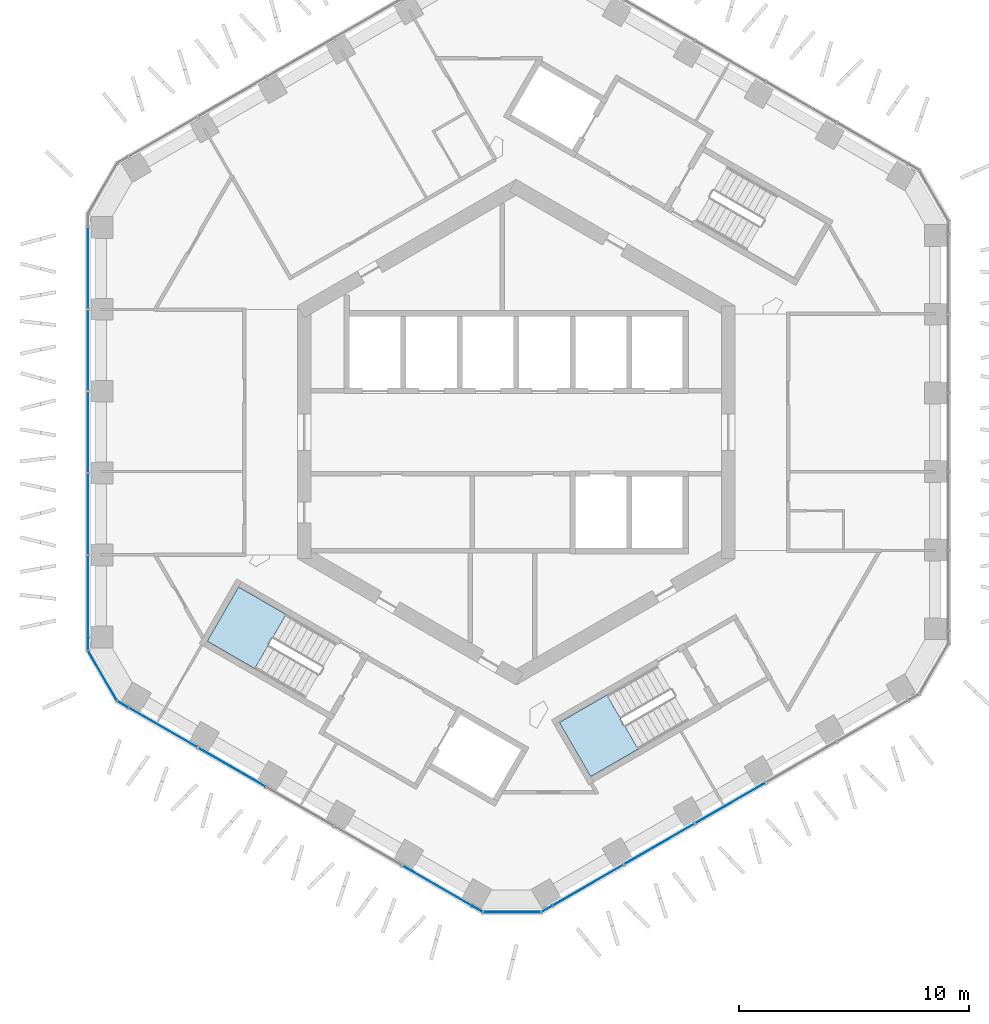
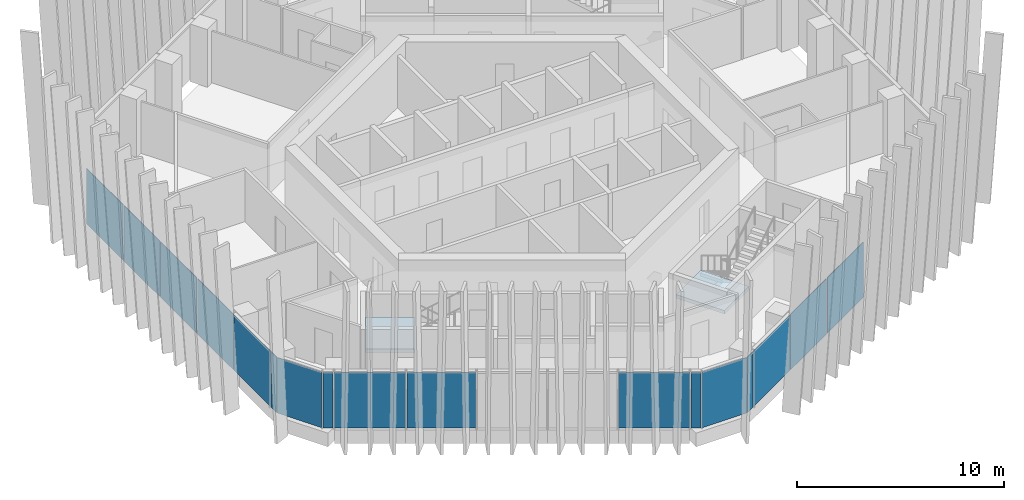
# One storey, part 9 of 20: 17 plates, 2 slabs, 7 elements without a shape of their own.
"""IFC4 building model written with IfcOpenShell, lengths in metres."""

import ifcopenshell
import ifcopenshell.guid

model = None  # the IFC model being written
_history = None  # IfcOwnerHistory: only IFC2X3 demands one
_inside = {}  # id of a spatial element -> (the spatial element, [elements in it])
_under = {}  # id of a project, library or spatial element -> (it, [spatial elements below it])
_declared = {}  # id of a project -> (the project, [libraries it declares])
_typed = {}  # id of a type object -> (the type object, [elements of that type])
_made_of = {}  # id of a material, layer set ... -> (it, [elements and type objects made of it])


def new_model(schema):
    """Start an empty IFC model of exactly this schema.

    Asked for "IFC4X3", IfcOpenShell would pick the latest addendum, in which some entities
    have other attributes; the version numbers below select the first issue.
    IFC2X3 requires an IfcOwnerHistory on every rooted entity: one is made here for all.
    """
    global model, _history
    if schema == "IFC4X3":
        model = ifcopenshell.file(schema_version=(4, 3, 0, 0))
    else:
        model = ifcopenshell.file(schema=schema)
    _inside.clear()
    _under.clear()
    _declared.clear()
    _typed.clear()
    _made_of.clear()
    _history = None
    if model.schema == "IFC2X3":
        org = make("IfcOrganization", Name="unknown")
        user = make(
            "IfcPersonAndOrganization",
            ThePerson=make("IfcPerson", FamilyName="unknown"),
            TheOrganization=org,
        )
        app = make(
            "IfcApplication",
            ApplicationDeveloper=org,
            Version="unknown",
            ApplicationFullName="unknown",
            ApplicationIdentifier="unknown",
        )
        _history = make(
            "IfcOwnerHistory",
            OwningUser=user,
            OwningApplication=app,
            ChangeAction="ADDED",
            CreationDate=0,
        )
    return model


def make(cls, **values):
    """One entity of the class cls with the attributes given. An attribute that is None is left unset."""
    return model.create_entity(
        cls, **{name: value for name, value in values.items() if value is not None}
    )


def rooted(cls, **values):
    """An entity with a GlobalId (a new one), such as an element, a storey or a relation."""
    return make(cls, GlobalId=ifcopenshell.guid.new(), OwnerHistory=_history, **values)


def si_unit(unit_type, name, prefix=None):
    """IfcSIUnit, for example si_unit("LENGTHUNIT", "METRE", prefix="MILLI")."""
    return make("IfcSIUnit", UnitType=unit_type, Prefix=prefix, Name=name)


def assignment(units):
    """IfcUnitAssignment: the units of a project."""
    return None if units is None else make("IfcUnitAssignment", Units=units)


def point(xyz):
    """IfcCartesianPoint."""
    return None if xyz is None else make("IfcCartesianPoint", Coordinates=xyz)


def direction(xyz):
    """IfcDirection."""
    return None if xyz is None else make("IfcDirection", DirectionRatios=xyz)


def frame(location, z_axis=None, x_axis=None):
    """IfcAxis2Placement3D, a coordinate frame: its origin and axes. An axis left out is left unset."""
    return make(
        "IfcAxis2Placement3D",
        Location=point(location),
        Axis=direction(z_axis),
        RefDirection=direction(x_axis),
    )


def frame_2d(location, x_axis=None):
    """IfcAxis2Placement2D, a coordinate frame in the plane: its origin and x axis."""
    return make(
        "IfcAxis2Placement2D", Location=point(location), RefDirection=direction(x_axis)
    )


def origin():
    """The frame at (0, 0, 0) with its axes left unset."""
    return frame((0.0, 0.0, 0.0))


def origin_2d():
    """The frame at (0, 0) in the plane with its x axis left unset."""
    return frame_2d((0.0, 0.0))


def place(relative_to, where):
    """IfcLocalPlacement: puts the frame where relative to a parent placement (None: the world)."""
    return make(
        "IfcLocalPlacement", PlacementRelTo=relative_to, RelativePlacement=where
    )


def context(
    kind, dimensions, precision=None, world=None, true_north=None, identifier=None
):
    """IfcGeometricRepresentationContext, for example the 3D "Model" context."""
    return make(
        "IfcGeometricRepresentationContext",
        ContextIdentifier=identifier,
        ContextType=kind,
        CoordinateSpaceDimension=dimensions,
        Precision=precision,
        WorldCoordinateSystem=world,
        TrueNorth=true_north,
    )


def subcontext(parent, identifier, kind, view, scale=None):
    """IfcGeometricRepresentationSubContext, for example "Body" below "Model"."""
    return make(
        "IfcGeometricRepresentationSubContext",
        ContextIdentifier=identifier,
        ContextType=kind,
        ParentContext=parent,
        TargetScale=scale,
        TargetView=view,
    )


def project(units=None, contexts=None):
    """IfcProject with its units and contexts."""
    return rooted(
        "IfcProject",
        Name="project",
        RepresentationContexts=contexts,
        UnitsInContext=assignment(units),
    )


def spatial(cls, under=None, at=None, **own):
    """A site, building, storey or space (cls), placed at a placement, below another one or the project."""
    s = rooted(cls, ObjectPlacement=at, **own)
    if under is not None:
        _under.setdefault(under.id(), (under, []))[1].append(s)
    return s


def polyline(points):
    """IfcPolyline through the points."""
    return make("IfcPolyline", Points=[point(p) for p in points])


def profile(cls, at=None, kind="AREA", **sizes):
    """A parametric profile (cls). Its sizes go by their IFC names, for example OverallWidth=200.0."""
    return make(cls, ProfileType=kind, Position=at, **sizes)


def rectangle(**sizes):
    """IfcRectangleProfileDef."""
    return profile("IfcRectangleProfileDef", **sizes)


def outline(outer, holes=None, kind="AREA"):
    """IfcArbitraryClosedProfileDef: a profile drawn as a closed curve; with holes, ...WithVoids."""
    if holes is None:
        return make("IfcArbitraryClosedProfileDef", ProfileType=kind, OuterCurve=outer)
    return make(
        "IfcArbitraryProfileDefWithVoids",
        ProfileType=kind,
        OuterCurve=outer,
        InnerCurves=holes,
    )


def extrude(swept, where, along, depth):
    """IfcExtrudedAreaSolid: the profile swept, set in the frame where, extruded along a direction by depth."""
    return make(
        "IfcExtrudedAreaSolid",
        SweptArea=swept,
        Position=where,
        ExtrudedDirection=direction(along),
        Depth=depth,
    )


def shape(context_of_items, identifier, shape_type, items):
    """IfcShapeRepresentation: the items that make up one representation, for example the "Body"."""
    return make(
        "IfcShapeRepresentation",
        ContextOfItems=context_of_items,
        RepresentationIdentifier=identifier,
        RepresentationType=shape_type,
        Items=items,
    )


def material(Name=None, Category=None):
    """IfcMaterial."""
    return make("IfcMaterial", Name=Name, Category=Category)


def layer(
    of_material, thickness, ventilated=None, Name=None, Category=None, Priority=None
):
    """IfcMaterialLayer: one layer of a wall or slab, of a material (None: an air gap)."""
    return make(
        "IfcMaterialLayer",
        Material=of_material,
        LayerThickness=thickness,
        IsVentilated=ventilated,
        Name=Name,
        Category=Category,
        Priority=Priority,
    )


def layer_set(layers, Name=None):
    """IfcMaterialLayerSet."""
    return make("IfcMaterialLayerSet", MaterialLayers=layers, LayerSetName=Name)


def made_of(thing, what):
    """Note that an element or type object is made of a material, layer set ...; save() writes the relation."""
    if what is not None:
        _made_of.setdefault(what.id(), (what, []))[1].append(thing)
    return thing


def type_object(cls, material=None, **own):
    """A type object (cls), such as IfcWallType, which elements share."""
    return made_of(rooted(cls, **own), material)


def element(
    cls,
    number,
    at=None,
    inside=None,
    cuts=None,
    type_object=None,
    material=None,
    context=None,
    identifier="Body",
    shape_type=None,
    held_by="IfcProductDefinitionShape",
    body=None,
    shapes=None,
    **own,
):
    """One element of the class cls, such as IfcWall. Its Tag is "e" and its number.

    at: its placement. inside: the storey or other place that contains it. cuts: it is an
    opening in that element (IfcRelVoidsElement). A single representation is given by context,
    identifier, shape_type and body (its items); several are given by shapes. held_by: the class
    of the entity that holds the representations. save() writes the other relations.
    """
    e = rooted(cls, Tag="e%d" % number, ObjectPlacement=at, **own)
    if body is not None:
        shapes = [shape(context, identifier, shape_type, body)]
    if shapes is not None:
        e.Representation = make(held_by, Representations=shapes)
    if inside is not None:
        _inside.setdefault(inside.id(), (inside, []))[1].append(e)
    if cuts is not None:
        rooted(
            "IfcRelVoidsElement", RelatingBuildingElement=cuts, RelatedOpeningElement=e
        )
    if type_object is not None:
        _typed.setdefault(type_object.id(), (type_object, []))[1].append(e)
    return made_of(e, material)


def aggregate(whole, parts):
    """IfcRelAggregates: a whole, such as a stair, and the parts it consists of."""
    return rooted("IfcRelAggregates", RelatingObject=whole, RelatedObjects=parts)


def save(model, path):
    """Write the relations noted so far, then the file.

    IfcRelAggregates (storeys below a building ...), IfcRelContainedInSpatialStructure (elements
    in a storey), IfcRelDefinesByType, IfcRelAssociatesMaterial and IfcRelDeclares: one each for
    every whole, place, type object, material and project.
    """
    for whole, parts in _under.values():
        aggregate(whole, parts)
    for where, things in _inside.values():
        rooted(
            "IfcRelContainedInSpatialStructure",
            RelatedElements=things,
            RelatingStructure=where,
        )
    for kind, things in _typed.values():
        rooted("IfcRelDefinesByType", RelatedObjects=things, RelatingType=kind)
    for what, things in _made_of.values():
        rooted("IfcRelAssociatesMaterial", RelatedObjects=things, RelatingMaterial=what)
    for by, libraries in _declared.values():
        rooted("IfcRelDeclares", RelatingContext=by, RelatedDefinitions=libraries)
    model.write(path)


model = new_model("IFC4")

# Units and contexts
model_context = context("Model", 3, precision=1e-05, world=origin(), true_north=direction((0.0, 1.0)))
body_context = subcontext(model_context, "Body", "Model", "MODEL_VIEW")
ifc_project = project(units=[si_unit("LENGTHUNIT", "METRE"), si_unit("AREAUNIT", "SQUARE_METRE"), si_unit("VOLUMEUNIT", "CUBIC_METRE"), si_unit("PLANEANGLEUNIT", "RADIAN"), si_unit("MASSUNIT", "GRAM", prefix="KILO")], contexts=[model_context])

# Site, building, storey
site_placement = place(None, origin())
site = spatial("IfcSite", under=ifc_project, at=site_placement, CompositionType="ELEMENT")
building_placement = place(site_placement, origin())
building = spatial("IfcBuilding", under=site, at=building_placement, Name="Ayvan Gate Tower", CompositionType="ELEMENT")
storey_placement = place(building_placement, frame((0.0, 0.0, 162.89990234375)))
storey = spatial("IfcBuildingStorey", under=building, at=storey_placement, Name="L43", CompositionType="ELEMENT", Elevation=162.89990234375)

# Stair, slab
ifc_material_1 = material(Name="Concrete C40/50", Category="concrete")
stair_type = type_object("IfcStairType", Name="ST-EXIT", PredefinedType="HALF_TURN_STAIR", material=ifc_material_1)
stair_1_placement = place(storey_placement, origin())
stair_1 = element("IfcStair", 1, at=stair_1_placement, inside=storey, type_object=stair_type, Name="L43 Exit Stair S2", PredefinedType="HALF_TURN_STAIR")
ifc_layer_1 = layer(ifc_material_1, 0.199951171875)
ifc_layer_set_1 = layer_set([ifc_layer_1], Name="Concrete C40/50")
slab_type = type_object("IfcSlabType", Name="SL-LANDING-200", PredefinedType="LANDING", material=ifc_layer_set_1)
slab_1_placement = place(storey_placement, frame((0.0, 0.0, 1.5)))
slab_1 = element("IfcSlab", 2, at=slab_1_placement, type_object=slab_type, Name="STS2 landing 1", PredefinedType="LANDING", context=body_context, shape_type="SweptSolid", body=[
    extrude(outline(polyline([(-9.988525390625, -7.91064453125), (-12.049560546875, -6.720458984375), (-13.404541015625, -9.0673828125), (-11.343505859375, -10.257568359375), (-9.988525390625, -7.91064453125)])), origin(), (0.0, 0.0, 1.0), 0.2001953125),
])
aggregate(stair_1, [slab_1])

stair_2_placement = place(storey_placement, origin())
stair_2 = element("IfcStair", 3, at=stair_2_placement, inside=storey, type_object=stair_type, Name="L43 Exit Stair S3", PredefinedType="HALF_TURN_STAIR")
slab_2_placement = place(storey_placement, frame((0.0, 0.0, 1.5)))
slab_2 = element("IfcSlab", 4, at=slab_2_placement, type_object=slab_type, Name="STS3 landing 1", PredefinedType="LANDING", context=body_context, shape_type="SweptSolid", body=[
    extrude(outline(polyline([(3.93505859375, -11.405517578125), (1.873779296875, -12.595458984375), (3.228759765625, -14.9423828125), (5.2900390625, -13.75244140625), (3.93505859375, -11.405517578125)])), origin(), (0.0, 0.0, 1.0), 0.2001953125),
])
aggregate(stair_2, [slab_2])

# Curtain wall, plates
ifc_material_2 = material(Name="Bronze anodised aluminium", Category="aluminium")
ifc_layer_2 = layer(ifc_material_2, 0.199951171875)
ifc_layer_set_2 = layer_set([ifc_layer_2], Name="Bronze anodised aluminium")
curtain_wall_type_1 = type_object("IfcCurtainWallType", Name="Stick curtain wall CW-2", PredefinedType="NOTDEFINED", material=ifc_layer_set_2)
curtain_wall_1_placement = place(storey_placement, origin())
curtain_wall_1 = element("IfcCurtainWall", 5, at=curtain_wall_1_placement, inside=storey, type_object=curtain_wall_type_1, Name="Stick curtain wall CW-2 L43", PredefinedType="NOTDEFINED")
ifc_material_3 = material(Name="Clear low-iron laminated glass", Category="glass")
ifc_layer_3 = layer(ifc_material_3, 0.028076171875)
ifc_layer_set_3 = layer_set([ifc_layer_3], Name="Clear low-iron laminated glass")
plate_type_1 = type_object("IfcPlateType", Name="Stick curtain wall CW-2 glass panel", PredefinedType="CURTAIN_PANEL", material=ifc_layer_set_3)
plate_1_placement = place(storey_placement, frame((-18.58349609375, 7.139404296875, 0.0), z_axis=(0.0, 0.0, 1.0), x_axis=(0.0, -1.0, 0.0)))
plate_1 = element("IfcPlate", 6, at=plate_1_placement, type_object=plate_type_1, Name="CW-2 glass panel 1", PredefinedType="CURTAIN_PANEL", context=body_context, shape_type="SweptSolid", body=[
    extrude(rectangle(XDim=3.5439453125, YDim=0.028076171875, at=origin_2d()), origin(), (0.0, 0.0, 1.0), 3.280029296875),
])
plate_2_placement = place(storey_placement, frame((-18.58349609375, 3.554931640625, 0.0), z_axis=(0.0, 0.0, 1.0), x_axis=(0.0, -1.0, 0.0)))
plate_2 = element("IfcPlate", 7, at=plate_2_placement, type_object=plate_type_1, Name="CW-2 glass panel 2", PredefinedType="CURTAIN_PANEL", context=body_context, shape_type="SweptSolid", body=[
    extrude(rectangle(XDim=3.485107421875, YDim=0.028076171875, at=origin_2d()), origin(), (0.0, 0.0, 1.0), 3.280029296875),
])
plate_3_placement = place(storey_placement, frame((-18.58349609375, 0.0, 0.0), z_axis=(0.0, 0.0, 1.0), x_axis=(0.0, -1.0, 0.0)))
plate_3 = element("IfcPlate", 8, at=plate_3_placement, type_object=plate_type_1, Name="CW-2 glass panel 3", PredefinedType="CURTAIN_PANEL", context=body_context, shape_type="SweptSolid", body=[
    extrude(rectangle(XDim=3.485107421875, YDim=0.028076171875, at=origin_2d()), origin(), (0.0, 0.0, 1.0), 3.280029296875),
])
plate_4_placement = place(storey_placement, frame((-18.58349609375, -3.55517578125, 0.0), z_axis=(0.0, 0.0, 1.0), x_axis=(0.0, -1.0, 0.0)))
plate_4 = element("IfcPlate", 9, at=plate_4_placement, type_object=plate_type_1, Name="CW-2 glass panel 4", PredefinedType="CURTAIN_PANEL", context=body_context, shape_type="SweptSolid", body=[
    extrude(rectangle(XDim=3.485107421875, YDim=0.028076171875, at=origin_2d()), origin(), (0.0, 0.0, 1.0), 3.280029296875),
])
plate_5_placement = place(storey_placement, frame((-18.58349609375, -7.139404296875, 0.0), z_axis=(0.0, 0.0, 1.0), x_axis=(0.0, -1.0, 0.0)))
plate_5 = element("IfcPlate", 10, at=plate_5_placement, type_object=plate_type_1, Name="CW-2 glass panel 5", PredefinedType="CURTAIN_PANEL", context=body_context, shape_type="SweptSolid", body=[
    extrude(rectangle(XDim=3.5439453125, YDim=0.028076171875, at=origin_2d()), origin(), (0.0, 0.0, 1.0), 3.280029296875),
])
aggregate(curtain_wall_1, [plate_1, plate_2, plate_3, plate_4, plate_5])

curtain_wall_2_placement = place(storey_placement, origin())
curtain_wall_2 = element("IfcCurtainWall", 11, at=curtain_wall_2_placement, inside=storey, type_object=curtain_wall_type_1, Name="Stick curtain wall CW-2 L43", PredefinedType="NOTDEFINED")
plate_6_placement = place(storey_placement, frame((-15.3369140625, -12.80908203125, 0.0), z_axis=(0.0, 0.0, 1.0), x_axis=(0.866025403784, -0.5, 0.0)))
plate_6 = element("IfcPlate", 12, at=plate_6_placement, type_object=plate_type_1, Name="CW-2 glass panel 1", PredefinedType="CURTAIN_PANEL", context=body_context, shape_type="SweptSolid", body=[
    extrude(rectangle(XDim=3.450927734375, YDim=0.028076171875, at=origin_2d()), origin(), (0.0, 0.0, 1.0), 3.280029296875),
])
plate_7_placement = place(storey_placement, frame((-12.335205078125, -14.542236328125, 0.0), z_axis=(0.0, 0.0, 1.0), x_axis=(0.866025403784, -0.5, 0.0)))
plate_7 = element("IfcPlate", 13, at=plate_7_placement, type_object=plate_type_1, Name="CW-2 glass panel 2", PredefinedType="CURTAIN_PANEL", context=body_context, shape_type="SweptSolid", body=[
    extrude(rectangle(XDim=3.341064453125, YDim=0.028076171875, at=origin_2d()), origin(), (0.0, 0.0, 1.0), 3.280029296875),
])
plate_8_placement = place(storey_placement, frame((-3.424560546875, -19.686767578125, 0.0), z_axis=(0.0, 0.0, 1.0), x_axis=(0.866025403784, -0.5, 0.0)))
plate_8 = element("IfcPlate", 14, at=plate_8_placement, type_object=plate_type_1, Name="CW-2 glass panel 5", PredefinedType="CURTAIN_PANEL", context=body_context, shape_type="SweptSolid", body=[
    extrude(rectangle(XDim=3.451171875, YDim=0.028076171875, at=origin_2d()), origin(), (0.0, 0.0, 1.0), 3.280029296875),
])
aggregate(curtain_wall_2, [plate_6, plate_7, plate_8])

curtain_wall_3_placement = place(storey_placement, origin())
curtain_wall_3 = element("IfcCurtainWall", 15, at=curtain_wall_3_placement, inside=storey, type_object=curtain_wall_type_1, Name="Stick curtain wall CW-2 L43", PredefinedType="NOTDEFINED")
plate_9_placement = place(storey_placement, frame((3.10888671875, -19.66357421875, 0.0), z_axis=(0.0, 0.0, 1.0), x_axis=(0.866025403784, 0.5, 0.0)))
plate_9 = element("IfcPlate", 16, at=plate_9_placement, type_object=plate_type_1, Name="CW-2 glass panel 1", PredefinedType="CURTAIN_PANEL", context=body_context, shape_type="SweptSolid", body=[
    extrude(rectangle(XDim=3.5439453125, YDim=0.028076171875, at=origin_2d()), origin(), (0.0, 0.0, 1.0), 3.280029296875),
])
plate_10_placement = place(storey_placement, frame((6.213134765625, -17.871337890625, 0.0), z_axis=(0.0, 0.0, 1.0), x_axis=(0.866025403784, 0.5, 0.0)))
plate_10 = element("IfcPlate", 17, at=plate_10_placement, type_object=plate_type_1, Name="CW-2 glass panel 2", PredefinedType="CURTAIN_PANEL", context=body_context, shape_type="SweptSolid", body=[
    extrude(rectangle(XDim=3.485107421875, YDim=0.028076171875, at=origin_2d()), origin(), (0.0, 0.0, 1.0), 3.280029296875),
])
plate_11_placement = place(storey_placement, frame((9.291748046875, -16.09375, 0.0), z_axis=(0.0, 0.0, 1.0), x_axis=(0.866025403784, 0.5, 0.0)))
plate_11 = element("IfcPlate", 18, at=plate_11_placement, type_object=plate_type_1, Name="CW-2 glass panel 3", PredefinedType="CURTAIN_PANEL", context=body_context, shape_type="SweptSolid", body=[
    extrude(rectangle(XDim=3.485107421875, YDim=0.028076171875, at=origin_2d()), origin(), (0.0, 0.0, 1.0), 3.280029296875),
])
aggregate(curtain_wall_3, [plate_9, plate_10, plate_11])

ifc_layer_4 = layer(ifc_material_2, 0.199951171875)
ifc_layer_set_4 = layer_set([ifc_layer_4], Name="Bronze anodised aluminium")
curtain_wall_type_2 = type_object("IfcCurtainWallType", Name="Stick curtain wall CW-6", PredefinedType="NOTDEFINED", material=ifc_layer_set_4)
curtain_wall_4_placement = place(storey_placement, origin())
curtain_wall_4 = element("IfcCurtainWall", 19, at=curtain_wall_4_placement, inside=storey, type_object=curtain_wall_type_2, Name="Stick curtain wall CW-6 L43", PredefinedType="NOTDEFINED")
ifc_layer_5 = layer(ifc_material_3, 0.028076171875)
ifc_layer_set_5 = layer_set([ifc_layer_5], Name="Clear low-iron laminated glass")
plate_type_2 = type_object("IfcPlateType", Name="Stick curtain wall CW-6 glass panel", PredefinedType="CURTAIN_PANEL", material=ifc_layer_set_5)
plate_12_placement = place(storey_placement, frame((-18.58349609375, -9.196533203125, 0.0), z_axis=(0.0, 0.0, 1.0), x_axis=(0.0, -1.0, 0.0)))
plate_12 = element("IfcPlate", 20, at=plate_12_placement, type_object=plate_type_2, Name="CW-6 glass panel 1", PredefinedType="CURTAIN_PANEL", context=body_context, shape_type="SweptSolid", body=[
    extrude(rectangle(XDim=0.5, YDim=0.028076171875, at=origin_2d()), origin(), (0.0, 0.0, 1.0), 3.280029296875),
])
plate_13_placement = place(storey_placement, frame((-17.949951171875, -10.56884765625, 0.0), z_axis=(0.0, 0.0, 1.0), x_axis=(0.5, -0.866025403784, 0.0)))
plate_13 = element("IfcPlate", 21, at=plate_13_placement, type_object=plate_type_2, Name="CW-6 glass panel 2", PredefinedType="CURTAIN_PANEL", context=body_context, shape_type="SweptSolid", body=[
    extrude(rectangle(XDim=2.484619140625, YDim=0.028076171875, at=origin_2d()), origin(), (0.0, 0.0, 1.0), 3.280029296875),
])
plate_14_placement = place(storey_placement, frame((-17.078125, -11.803955078125, 0.0), z_axis=(0.0, 0.0, 1.0), x_axis=(0.866025403784, -0.5, 0.0)))
plate_14 = element("IfcPlate", 22, at=plate_14_placement, type_object=plate_type_2, Name="CW-6 glass panel 3", PredefinedType="CURTAIN_PANEL", context=body_context, shape_type="SweptSolid", body=[
    extrude(rectangle(XDim=0.5, YDim=0.028076171875, at=origin_2d()), origin(), (0.0, 0.0, 1.0), 3.280029296875),
])
aggregate(curtain_wall_4, [plate_12, plate_13, plate_14])

curtain_wall_5_placement = place(storey_placement, origin())
curtain_wall_5 = element("IfcCurtainWall", 23, at=curtain_wall_5_placement, inside=storey, type_object=curtain_wall_type_2, Name="Stick curtain wall CW-6 L43", PredefinedType="NOTDEFINED")
plate_15_placement = place(storey_placement, frame((-1.68359375, -20.69189453125, 0.0), z_axis=(0.0, 0.0, 1.0), x_axis=(0.866025403784, -0.5, 0.0)))
plate_15 = element("IfcPlate", 24, at=plate_15_placement, type_object=plate_type_2, Name="CW-6 glass panel 1", PredefinedType="CURTAIN_PANEL", context=body_context, shape_type="SweptSolid", body=[
    extrude(rectangle(XDim=0.5, YDim=0.028076171875, at=origin_2d()), origin(), (0.0, 0.0, 1.0), 3.280029296875),
])
plate_16_placement = place(storey_placement, frame((-0.177978515625, -20.82958984375, 0.0), z_axis=(0.0, 0.0, 1.0), x_axis=(1.0, 0.0, 0.0)))
plate_16 = element("IfcPlate", 25, at=plate_16_placement, type_object=plate_type_2, Name="CW-6 glass panel 2", PredefinedType="CURTAIN_PANEL", context=body_context, shape_type="SweptSolid", body=[
    extrude(rectangle(XDim=2.484619140625, YDim=0.028076171875, at=origin_2d()), origin(), (0.0, 0.0, 1.0), 3.280029296875),
])
plate_17_placement = place(storey_placement, frame((1.327392578125, -20.69189453125, 0.0), z_axis=(0.0, 0.0, 1.0), x_axis=(0.866025403784, 0.5, 0.0)))
plate_17 = element("IfcPlate", 26, at=plate_17_placement, type_object=plate_type_2, Name="CW-6 glass panel 3", PredefinedType="CURTAIN_PANEL", context=body_context, shape_type="SweptSolid", body=[
    extrude(rectangle(XDim=0.5, YDim=0.028076171875, at=origin_2d()), origin(), (0.0, 0.0, 1.0), 3.280029296875),
])
aggregate(curtain_wall_5, [plate_15, plate_16, plate_17])

save(model, "model.ifc")
